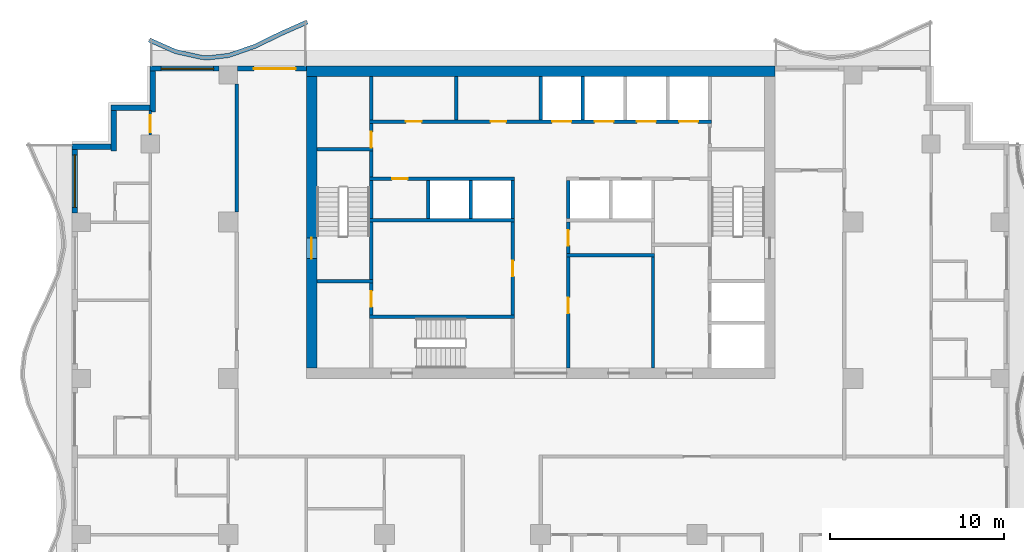
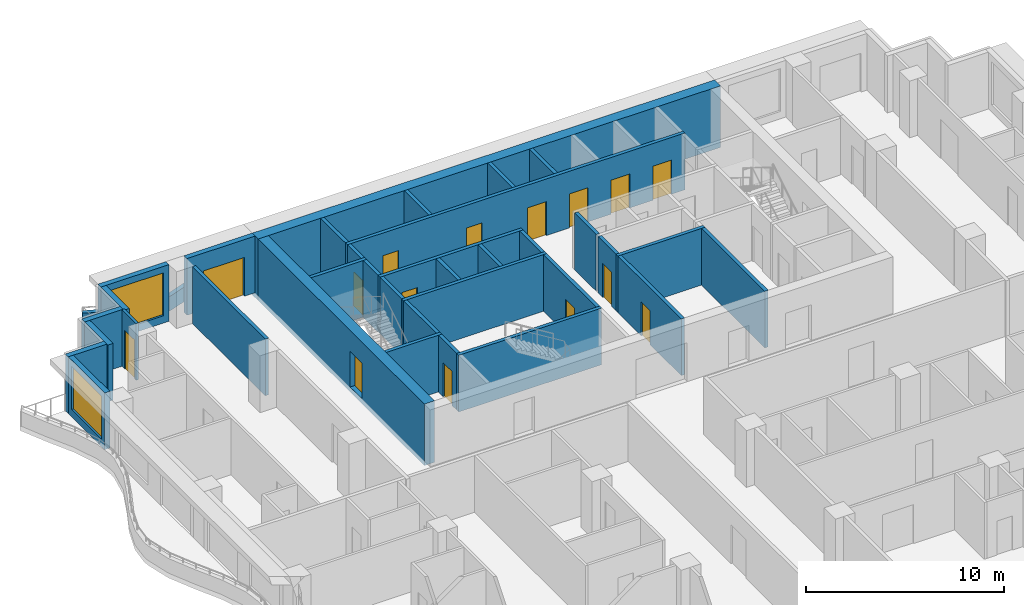
# One storey, part 5 of 11: 36 walls, 15 doors, 2 windows, 17 openings.
"""IFC4 building model written with IfcOpenShell, lengths in metres."""

from ifc_helpers import new_model, si_unit, direction, frame, frame_2d, origin, place, context, subcontext, project, spatial, polyline, rectangle, outline, extrude, material, layer, layer_set, type_object, element, fill, save


model = new_model("IFC4")

# Units and contexts
model_context = context("Model", 3, precision=1e-05, world=origin(), true_north=direction((0.0, 1.0)))
body_context = subcontext(model_context, "Body", "Model", "MODEL_VIEW")
ifc_project = project(units=[si_unit("LENGTHUNIT", "METRE"), si_unit("AREAUNIT", "SQUARE_METRE"), si_unit("VOLUMEUNIT", "CUBIC_METRE"), si_unit("PLANEANGLEUNIT", "RADIAN"), si_unit("MASSUNIT", "GRAM", prefix="KILO")], contexts=[model_context])

# Site, building, storey
site_placement = place(None, origin())
site = spatial("IfcSite", under=ifc_project, at=site_placement, CompositionType="ELEMENT")
building_placement = place(site_placement, origin())
building = spatial("IfcBuilding", under=site, at=building_placement, Name="Orbiselva Terraces", CompositionType="ELEMENT")
storey_placement = place(building_placement, frame((0.0, 0.0, 192.0)))
storey = spatial("IfcBuildingStorey", under=building, at=storey_placement, Name="L48", CompositionType="ELEMENT", Elevation=192.0)

# Wall, opening, door
ifc_material_1 = material(Name="Concrete C80/95", Category="concrete")
ifc_layer_1 = layer(ifc_material_1, 0.6)
ifc_layer_set_1 = layer_set([ifc_layer_1], Name="Concrete C80/95")
wall_type_1 = type_object("IfcWallType", Name="CORE WALL 600", PredefinedType="SHEAR", material=ifc_layer_set_1)
wall_1_placement = place(storey_placement, frame((-13.2, 21.9, -0.3), z_axis=(0.0, 0.0, 1.0), x_axis=(0.0, -1.0, 0.0)))
wall_1 = element("IfcWall", 1, at=wall_1_placement, inside=storey, type_object=wall_type_1, Name="Core wall L48 west", PredefinedType="SHEAR", context=body_context, shape_type="SweptSolid", body=[
    extrude(rectangle(XDim=16.8, YDim=0.6, at=frame_2d((8.4, 0.0))), origin(), (0.0, 0.0, 1.0), 3.8),
])
opening_1_placement = place(wall_1_placement, frame((9.3, 0.0, 0.3)))
opening_1 = element("IfcOpeningElement", 2, at=opening_1_placement, cuts=wall_1, Name="Opening DS1200", PredefinedType="OPENING", context=body_context, shape_type="SweptSolid", body=[
    extrude(rectangle(XDim=1.2, YDim=2.2, at=frame_2d((0.6, 1.1))), frame((0.0, 0.31, 0.0), z_axis=(0.0, -1.0, 0.0), x_axis=(1.0, 0.0, 0.0)), (0.0, 0.0, 1.0), 0.62),
])
ifc_material_2 = material(Name="Steel fire door", Category="steel")
door_type_1 = type_object("IfcDoorType", Name="STAIR DOOR 1200", OperationType="NOTDEFINED", PredefinedType="DOOR", material=ifc_material_2)
door_1_placement = place(opening_1_placement, frame((1.2, 0.0, 0.0), z_axis=(0.0, 0.0, 1.0), x_axis=(-1.0, 0.0, 0.0)))
door_1 = element("IfcDoor", 3, at=door_1_placement, inside=storey, type_object=door_type_1, Name="L48 EXIT STAIR S1 door", OperationType="SINGLE_SWING_RIGHT", OverallHeight=2.2, OverallWidth=1.2, PredefinedType="DOOR", context=body_context, shape_type="SweptSolid", body=[
    extrude(rectangle(XDim=1.2, YDim=2.2, at=frame_2d((0.6, 1.1))), frame((0.0, 0.025, 0.0), z_axis=(0.0, -1.0, 0.0), x_axis=(1.0, 0.0, 0.0)), (0.0, 0.0, 1.0), 0.05),
])
fill(opening_1, door_1)

# Wall
ifc_layer_2 = layer(ifc_material_1, 0.6)
ifc_layer_set_2 = layer_set([ifc_layer_2], Name="Concrete C80/95")
wall_type_2 = type_object("IfcWallType", Name="CORE WALL 600 EXTERNAL", PredefinedType="SHEAR", material=ifc_layer_set_2)
wall_2_placement = place(storey_placement, frame((13.5, 22.2, -0.3), z_axis=(0.0, 0.0, 1.0), x_axis=(-1.0, 0.0, 0.0)))
element("IfcWall", 4, at=wall_2_placement, inside=storey, type_object=wall_type_2, Name="Core wall L48 north", PredefinedType="SHEAR", context=body_context, shape_type="SweptSolid", body=[
    extrude(rectangle(XDim=27.0, YDim=0.6, at=frame_2d((13.5, 0.0))), origin(), (0.0, 0.0, 1.0), 3.8),
])

# Wall, opening, door
ifc_material_3 = material(Name="Masonry blockwork", Category="masonry")
ifc_layer_3 = layer(ifc_material_3, 0.2)
ifc_layer_set_3 = layer_set([ifc_layer_3], Name="Masonry blockwork")
wall_type_3 = type_object("IfcWallType", Name="CORE-WALL-PARTITION-200", PredefinedType="PARTITIONING", material=ifc_layer_set_3)
wall_3_placement = place(storey_placement, frame((-9.75, 8.15, 0.0), z_axis=(0.0, 0.0, 1.0), x_axis=(0.0, 1.0, 0.0)))
wall_3 = element("IfcWall", 5, at=wall_3_placement, inside=storey, type_object=wall_type_3, Name="L48 core wall 05", PredefinedType="PARTITIONING", context=body_context, shape_type="SweptSolid", body=[
    extrude(rectangle(XDim=1.85, YDim=0.2, at=frame_2d((0.925, 0.0))), origin(), (0.0, 0.0, 1.0), 3.5),
])
opening_2_placement = place(wall_3_placement, frame((0.475, 0.0, 0.0)))
opening_2 = element("IfcOpeningElement", 6, at=opening_2_placement, cuts=wall_3, Name="Opening DR900", PredefinedType="OPENING", context=body_context, shape_type="SweptSolid", body=[
    extrude(rectangle(XDim=0.9, YDim=2.1, at=frame_2d((0.45, 1.05))), frame((0.0, 0.11, 0.0), z_axis=(0.0, -1.0, 0.0), x_axis=(1.0, 0.0, 0.0)), (0.0, 0.0, 1.0), 0.22),
])
door_type_2 = type_object("IfcDoorType", Name="ROOM DOOR 900", OperationType="NOTDEFINED", PredefinedType="DOOR", material=ifc_material_2)
door_2_placement = place(opening_2_placement, origin())
door_2 = element("IfcDoor", 7, at=door_2_placement, inside=storey, type_object=door_type_2, Name="L48 ACCESSIBLE WC door", OperationType="SINGLE_SWING_RIGHT", OverallHeight=2.1, OverallWidth=0.9, PredefinedType="DOOR", context=body_context, shape_type="SweptSolid", body=[
    extrude(rectangle(XDim=0.9, YDim=2.1, at=frame_2d((0.45, 1.05))), frame((0.0, 0.025, 0.0), z_axis=(0.0, -1.0, 0.0), x_axis=(1.0, 0.0, 0.0)), (0.0, 0.0, 1.0), 0.05),
])
fill(opening_2, door_2)

wall_4_placement = place(storey_placement, frame((-9.75, 17.8, 0.0), z_axis=(0.0, 0.0, 1.0), x_axis=(0.0, 1.0, 0.0)))
wall_4 = element("IfcWall", 8, at=wall_4_placement, inside=storey, type_object=wall_type_3, Name="L48 core wall 11", PredefinedType="PARTITIONING", context=body_context, shape_type="SweptSolid", body=[
    extrude(rectangle(XDim=1.4, YDim=0.2, at=frame_2d((0.7, 0.0))), origin(), (0.0, 0.0, 1.0), 3.5),
])
opening_3_placement = place(wall_4_placement, origin())
opening_3 = element("IfcOpeningElement", 9, at=opening_3_placement, cuts=wall_4, Name="Opening DR900", PredefinedType="OPENING", context=body_context, shape_type="SweptSolid", body=[
    extrude(rectangle(XDim=0.9, YDim=2.1, at=frame_2d((0.45, 1.05))), frame((0.0, 0.11, 0.0), z_axis=(0.0, -1.0, 0.0), x_axis=(1.0, 0.0, 0.0)), (0.0, 0.0, 1.0), 0.22),
])
door_3_placement = place(opening_3_placement, origin())
door_3 = element("IfcDoor", 10, at=door_3_placement, inside=storey, type_object=door_type_2, Name="L48 COMMS RISER ROOM door", OperationType="SINGLE_SWING_LEFT", OverallHeight=2.1, OverallWidth=0.9, PredefinedType="DOOR", context=body_context, shape_type="SweptSolid", body=[
    extrude(rectangle(XDim=0.9, YDim=2.1, at=frame_2d((0.45, 1.05))), frame((0.0, 0.025, 0.0), z_axis=(0.0, -1.0, 0.0), x_axis=(1.0, 0.0, 0.0)), (0.0, 0.0, 1.0), 0.05),
])
fill(opening_3, door_3)

# Walls
for number, where, z_axis, x_axis, name in (
    (11, (-9.75, 19.4, 0.0), (0.0, 0.0, 1.0), (0.0, 1.0, 0.0), "L48 core wall 13"),
    (12, (-4.875, 19.4, 0.0), (0.0, 0.0, 1.0), (0.0, 1.0, 0.0), "L48 core wall 15"),
):
    element("IfcWall", number, at=place(storey_placement, frame(where, z_axis=z_axis, x_axis=x_axis)), inside=storey, type_object=wall_type_3, Name=name, PredefinedType="PARTITIONING", context=body_context, shape_type="SweptSolid", body=[
        extrude(rectangle(XDim=2.5, YDim=0.2, at=frame_2d((1.25, 0.0))), origin(), (0.0, 0.0, 1.0), 3.5),
    ])

# Wall, opening, door
wall_5_placement = place(storey_placement, frame((1.6, 13.5, 0.0), z_axis=(0.0, 0.0, 1.0), x_axis=(0.0, -1.0, 0.0)))
wall_5 = element("IfcWall", 13, at=wall_5_placement, inside=storey, type_object=wall_type_3, Name="L48 core wall 23", PredefinedType="PARTITIONING", context=body_context, shape_type="SweptSolid", body=[
    extrude(rectangle(XDim=1.8, YDim=0.2, at=frame_2d((0.9, 0.0))), origin(), (0.0, 0.0, 1.0), 3.5),
])
opening_4_placement = place(wall_5_placement, frame((0.45, 0.0, 0.0)))
opening_4 = element("IfcOpeningElement", 14, at=opening_4_placement, cuts=wall_5, Name="Opening DR900", PredefinedType="OPENING", context=body_context, shape_type="SweptSolid", body=[
    extrude(rectangle(XDim=0.9, YDim=2.1, at=frame_2d((0.45, 1.05))), frame((0.0, 0.11, 0.0), z_axis=(0.0, -1.0, 0.0), x_axis=(1.0, 0.0, 0.0)), (0.0, 0.0, 1.0), 0.22),
])
door_4_placement = place(opening_4_placement, origin())
door_4 = element("IfcDoor", 15, at=door_4_placement, inside=storey, type_object=door_type_2, Name="L48 IT ROOM door", OperationType="SINGLE_SWING_LEFT", OverallHeight=2.1, OverallWidth=0.9, PredefinedType="DOOR", context=body_context, shape_type="SweptSolid", body=[
    extrude(rectangle(XDim=0.9, YDim=2.1, at=frame_2d((0.45, 1.05))), frame((0.0, 0.025, 0.0), z_axis=(0.0, -1.0, 0.0), x_axis=(1.0, 0.0, 0.0)), (0.0, 0.0, 1.0), 0.05),
])
fill(opening_4, door_4)

# Walls
ifc_material_4 = material(Name="Concrete C40/50", Category="concrete")
ifc_layer_4 = layer(ifc_material_4, 0.2)
ifc_layer_set_4 = layer_set([ifc_layer_4], Name="Concrete C40/50")
wall_type_4 = type_object("IfcWallType", Name="CORE-WALL-SHAFT-200", PredefinedType="PARTITIONING", material=ifc_layer_set_4)
for number, where, z_axis, x_axis, name in (
    (16, (-6.475, 13.7, 0.0), (0.0, 0.0, 1.0), (0.0, 1.0, 0.0), "L48 core wall 14"),
    (17, (-4.0375, 13.7, 0.0), (0.0, 0.0, 1.0), (0.0, 1.0, 0.0), "L48 core wall 16"),
    (18, (-1.6, 13.7, 0.0), (0.0, 0.0, 1.0), (0.0, 1.0, 0.0), "L48 core wall 19"),
):
    element("IfcWall", number, at=place(storey_placement, frame(where, z_axis=z_axis, x_axis=x_axis)), inside=storey, type_object=wall_type_4, Name=name, PredefinedType="PARTITIONING", context=body_context, shape_type="SweptSolid", body=[
        extrude(rectangle(XDim=2.2, YDim=0.2, at=frame_2d((1.1, 0.0))), origin(), (0.0, 0.0, 1.0), 3.5),
    ])
wall_6_placement = place(storey_placement, frame((0.0, 19.4, 0.0), z_axis=(0.0, 0.0, 1.0), x_axis=(0.0, 1.0, 0.0)))
element("IfcWall", 19, at=wall_6_placement, inside=storey, type_object=wall_type_4, Name="L48 core wall 20", PredefinedType="PARTITIONING", context=body_context, shape_type="SweptSolid", body=[
    extrude(rectangle(XDim=2.5, YDim=0.2, at=frame_2d((1.25, 0.0))), origin(), (0.0, 0.0, 1.0), 3.5),
])
wall_7_placement = place(storey_placement, frame((1.6, 13.7, 0.0), z_axis=(0.0, 0.0, 1.0), x_axis=(0.0, 1.0, 0.0)))
element("IfcWall", 20, at=wall_7_placement, inside=storey, type_object=wall_type_4, Name="L48 core wall 25", PredefinedType="PARTITIONING", context=body_context, shape_type="SweptSolid", body=[
    extrude(rectangle(XDim=2.2, YDim=0.2, at=frame_2d((1.1, 0.0))), origin(), (0.0, 0.0, 1.0), 3.5),
])
wall_8_placement = place(storey_placement, frame((2.4375, 19.4, 0.0), z_axis=(0.0, 0.0, 1.0), x_axis=(0.0, 1.0, 0.0)))
element("IfcWall", 21, at=wall_8_placement, inside=storey, type_object=wall_type_4, Name="L48 core wall 27", PredefinedType="PARTITIONING", context=body_context, shape_type="SweptSolid", body=[
    extrude(rectangle(XDim=2.5, YDim=0.2, at=frame_2d((1.25, 0.0))), origin(), (0.0, 0.0, 1.0), 3.5),
])
ifc_material_5 = material(Name="Concrete C60/75", Category="concrete")
ifc_layer_5 = layer(ifc_material_5, 0.2)
ifc_layer_set_5 = layer_set([ifc_layer_5], Name="Concrete C60/75")
wall_type_5 = type_object("IfcWallType", Name="CORE-WALL-SHEAR-200", PredefinedType="SHEAR", material=ifc_layer_set_5)
for number, where, z_axis, x_axis, name in (
    (22, (-12.9, 10.1, 0.0), (0.0, 0.0, 1.0), (1.0, 0.0, 0.0), "L48 core wall 01"),
    (23, (-12.9, 17.7, 0.0), (0.0, 0.0, 1.0), (1.0, 0.0, 0.0), "L48 core wall 02"),
):
    element("IfcWall", number, at=place(storey_placement, frame(where, z_axis=z_axis, x_axis=x_axis)), inside=storey, type_object=wall_type_5, Name=name, PredefinedType="SHEAR", context=body_context, shape_type="SweptSolid", body=[
        extrude(rectangle(XDim=3.25, YDim=0.2, at=frame_2d((1.625, 0.0))), origin(), (0.0, 0.0, 1.0), 3.5),
    ])
wall_9_placement = place(storey_placement, frame((-9.85, 8.05, 0.0), z_axis=(0.0, 0.0, 1.0), x_axis=(1.0, 0.0, 0.0)))
element("IfcWall", 24, at=wall_9_placement, inside=storey, type_object=wall_type_5, Name="L48 core wall 04", PredefinedType="SHEAR", context=body_context, shape_type="SweptSolid", body=[
    extrude(rectangle(XDim=8.35, YDim=0.2, at=frame_2d((4.175, 0.0))), origin(), (0.0, 0.0, 1.0), 3.5),
])
wall_10_placement = place(storey_placement, frame((-9.75, 10.2, 0.0), z_axis=(0.0, 0.0, 1.0), x_axis=(0.0, 1.0, 0.0)))
element("IfcWall", 25, at=wall_10_placement, inside=storey, type_object=wall_type_5, Name="L48 core wall 06", PredefinedType="SHEAR", context=body_context, shape_type="SweptSolid", body=[
    extrude(rectangle(XDim=3.3, YDim=0.2, at=frame_2d((1.65, 0.0))), origin(), (0.0, 0.0, 1.0), 3.5),
])
wall_11_placement = place(storey_placement, frame((-9.85, 13.6, 0.0), z_axis=(0.0, 0.0, 1.0), x_axis=(1.0, 0.0, 0.0)))
element("IfcWall", 26, at=wall_11_placement, inside=storey, type_object=wall_type_5, Name="L48 core wall 07", PredefinedType="SHEAR", context=body_context, shape_type="SweptSolid", body=[
    extrude(rectangle(XDim=8.35, YDim=0.2, at=frame_2d((4.175, 0.0))), origin(), (0.0, 0.0, 1.0), 3.5),
])
wall_12_placement = place(storey_placement, frame((-9.75, 13.7, 0.0), z_axis=(0.0, 0.0, 1.0), x_axis=(0.0, 1.0, 0.0)))
element("IfcWall", 27, at=wall_12_placement, inside=storey, type_object=wall_type_5, Name="L48 core wall 08", PredefinedType="SHEAR", context=body_context, shape_type="SweptSolid", body=[
    extrude(rectangle(XDim=2.2, YDim=0.2, at=frame_2d((1.1, 0.0))), origin(), (0.0, 0.0, 1.0), 3.5),
])

# Wall, opening, door
wall_13_placement = place(storey_placement, frame((-1.5, 16.0, 0.0), z_axis=(0.0, 0.0, 1.0), x_axis=(-1.0, 0.0, 0.0)))
wall_13 = element("IfcWall", 28, at=wall_13_placement, inside=storey, type_object=wall_type_5, Name="L48 core wall 09", PredefinedType="SHEAR", context=body_context, shape_type="SweptSolid", body=[
    extrude(rectangle(XDim=8.35, YDim=0.2, at=frame_2d((4.175, 0.0))), origin(), (0.0, 0.0, 1.0), 3.5),
])
opening_5_placement = place(wall_13_placement, frame((6.1625, 0.0, 0.0)))
opening_5 = element("IfcOpeningElement", 29, at=opening_5_placement, cuts=wall_13, Name="Opening DR900", PredefinedType="OPENING", context=body_context, shape_type="SweptSolid", body=[
    extrude(rectangle(XDim=0.9, YDim=2.1, at=frame_2d((0.45, 1.05))), frame((0.0, 0.11, 0.0), z_axis=(0.0, -1.0, 0.0), x_axis=(1.0, 0.0, 0.0)), (0.0, 0.0, 1.0), 0.22),
])
door_5_placement = place(opening_5_placement, origin())
door_5 = element("IfcDoor", 30, at=door_5_placement, inside=storey, type_object=door_type_2, Name="L48 IT ROOM door", OperationType="SINGLE_SWING_RIGHT", OverallHeight=2.1, OverallWidth=0.9, PredefinedType="DOOR", context=body_context, shape_type="SweptSolid", body=[
    extrude(rectangle(XDim=0.9, YDim=2.1, at=frame_2d((0.45, 1.05))), frame((0.0, 0.025, 0.0), z_axis=(0.0, -1.0, 0.0), x_axis=(1.0, 0.0, 0.0)), (0.0, 0.0, 1.0), 0.05),
])
fill(opening_5, door_5)

# Wall
wall_14_placement = place(storey_placement, frame((-9.75, 16.1, 0.0), z_axis=(0.0, 0.0, 1.0), x_axis=(0.0, 1.0, 0.0)))
element("IfcWall", 31, at=wall_14_placement, inside=storey, type_object=wall_type_5, Name="L48 core wall 10", PredefinedType="SHEAR", context=body_context, shape_type="SweptSolid", body=[
    extrude(rectangle(XDim=1.5, YDim=0.2, at=frame_2d((0.75, 0.0))), origin(), (0.0, 0.0, 1.0), 3.5),
])

# Wall, openings, doors
wall_15_placement = place(storey_placement, frame((-9.85, 19.3, 0.0), z_axis=(0.0, 0.0, 1.0), x_axis=(1.0, 0.0, 0.0)))
wall_15 = element("IfcWall", 32, at=wall_15_placement, inside=storey, type_object=wall_type_5, Name="L48 core wall 12", PredefinedType="SHEAR", context=body_context, shape_type="SweptSolid", body=[
    extrude(rectangle(XDim=19.7, YDim=0.2, at=frame_2d((9.85, 0.0))), origin(), (0.0, 0.0, 1.0), 3.5),
])
opening_6_placement = place(wall_15_placement, frame((10.51875, 0.0, 0.0)))
opening_6 = element("IfcOpeningElement", 33, at=opening_6_placement, cuts=wall_15, Name="Opening LD-HR1", PredefinedType="OPENING", context=body_context, shape_type="SweptSolid", body=[
    extrude(rectangle(XDim=1.1, YDim=2.1, at=frame_2d((0.55, 1.05))), frame((0.0, 0.11, 0.0), z_axis=(0.0, -1.0, 0.0), x_axis=(1.0, 0.0, 0.0)), (0.0, 0.0, 1.0), 0.22),
])
opening_7_placement = place(wall_15_placement, frame((12.95625, 0.0, 0.0)))
opening_7 = element("IfcOpeningElement", 34, at=opening_7_placement, cuts=wall_15, Name="Opening LD-HR2", PredefinedType="OPENING", context=body_context, shape_type="SweptSolid", body=[
    extrude(rectangle(XDim=1.1, YDim=2.1, at=frame_2d((0.55, 1.05))), frame((0.0, 0.11, 0.0), z_axis=(0.0, -1.0, 0.0), x_axis=(1.0, 0.0, 0.0)), (0.0, 0.0, 1.0), 0.22),
])
opening_8_placement = place(wall_15_placement, frame((15.39375, 0.0, 0.0)))
opening_8 = element("IfcOpeningElement", 35, at=opening_8_placement, cuts=wall_15, Name="Opening LD-HR3", PredefinedType="OPENING", context=body_context, shape_type="SweptSolid", body=[
    extrude(rectangle(XDim=1.1, YDim=2.1, at=frame_2d((0.55, 1.05))), frame((0.0, 0.11, 0.0), z_axis=(0.0, -1.0, 0.0), x_axis=(1.0, 0.0, 0.0)), (0.0, 0.0, 1.0), 0.22),
])
opening_9_placement = place(wall_15_placement, frame((17.83125, 0.0, 0.0)))
opening_9 = element("IfcOpeningElement", 36, at=opening_9_placement, cuts=wall_15, Name="Opening LD-HR4", PredefinedType="OPENING", context=body_context, shape_type="SweptSolid", body=[
    extrude(rectangle(XDim=1.1, YDim=2.1, at=frame_2d((0.55, 1.05))), frame((0.0, 0.11, 0.0), z_axis=(0.0, -1.0, 0.0), x_axis=(1.0, 0.0, 0.0)), (0.0, 0.0, 1.0), 0.22),
])
opening_10_placement = place(wall_15_placement, frame((2.0875, 0.0, 0.0)))
opening_10 = element("IfcOpeningElement", 37, at=opening_10_placement, cuts=wall_15, Name="Opening DR900", PredefinedType="OPENING", context=body_context, shape_type="SweptSolid", body=[
    extrude(rectangle(XDim=0.9, YDim=2.1, at=frame_2d((0.45, 1.05))), frame((0.0, 0.11, 0.0), z_axis=(0.0, -1.0, 0.0), x_axis=(1.0, 0.0, 0.0)), (0.0, 0.0, 1.0), 0.22),
])
opening_11_placement = place(wall_15_placement, frame((6.9625, 0.0, 0.0)))
opening_11 = element("IfcOpeningElement", 38, at=opening_11_placement, cuts=wall_15, Name="Opening DR900", PredefinedType="OPENING", context=body_context, shape_type="SweptSolid", body=[
    extrude(rectangle(XDim=0.9, YDim=2.1, at=frame_2d((0.45, 1.05))), frame((0.0, 0.11, 0.0), z_axis=(0.0, -1.0, 0.0), x_axis=(1.0, 0.0, 0.0)), (0.0, 0.0, 1.0), 0.22),
])
ifc_material_6 = material(Name="Stainless steel landing door", Category="steel")
door_type_3 = type_object("IfcDoorType", Name="LANDING DOOR 1100", OperationType="SLIDING_TO_LEFT", PredefinedType="DOOR", material=ifc_material_6)
door_6_placement = place(opening_6_placement, origin())
door_6 = element("IfcDoor", 39, at=door_6_placement, inside=storey, type_object=door_type_3, Name="L48 landing door HR1", OperationType="SLIDING_TO_RIGHT", OverallHeight=2.1, OverallWidth=1.1, PredefinedType="DOOR", context=body_context, shape_type="SweptSolid", body=[
    extrude(rectangle(XDim=1.1, YDim=2.1, at=frame_2d((0.55, 1.05))), frame((0.0, 0.025, 0.0), z_axis=(0.0, -1.0, 0.0), x_axis=(1.0, 0.0, 0.0)), (0.0, 0.0, 1.0), 0.05),
])
fill(opening_6, door_6)
door_7_placement = place(opening_7_placement, origin())
door_7 = element("IfcDoor", 40, at=door_7_placement, inside=storey, type_object=door_type_3, Name="L48 landing door HR2", OperationType="SLIDING_TO_RIGHT", OverallHeight=2.1, OverallWidth=1.1, PredefinedType="DOOR", context=body_context, shape_type="SweptSolid", body=[
    extrude(rectangle(XDim=1.1, YDim=2.1, at=frame_2d((0.55, 1.05))), frame((0.0, 0.025, 0.0), z_axis=(0.0, -1.0, 0.0), x_axis=(1.0, 0.0, 0.0)), (0.0, 0.0, 1.0), 0.05),
])
fill(opening_7, door_7)
door_8_placement = place(opening_8_placement, origin())
door_8 = element("IfcDoor", 41, at=door_8_placement, inside=storey, type_object=door_type_3, Name="L48 landing door HR3", OperationType="SLIDING_TO_RIGHT", OverallHeight=2.1, OverallWidth=1.1, PredefinedType="DOOR", context=body_context, shape_type="SweptSolid", body=[
    extrude(rectangle(XDim=1.1, YDim=2.1, at=frame_2d((0.55, 1.05))), frame((0.0, 0.025, 0.0), z_axis=(0.0, -1.0, 0.0), x_axis=(1.0, 0.0, 0.0)), (0.0, 0.0, 1.0), 0.05),
])
fill(opening_8, door_8)
door_9_placement = place(opening_9_placement, origin())
door_9 = element("IfcDoor", 42, at=door_9_placement, inside=storey, type_object=door_type_3, Name="L48 landing door HR4", OperationType="SLIDING_TO_RIGHT", OverallHeight=2.1, OverallWidth=1.1, PredefinedType="DOOR", context=body_context, shape_type="SweptSolid", body=[
    extrude(rectangle(XDim=1.1, YDim=2.1, at=frame_2d((0.55, 1.05))), frame((0.0, 0.025, 0.0), z_axis=(0.0, -1.0, 0.0), x_axis=(1.0, 0.0, 0.0)), (0.0, 0.0, 1.0), 0.05),
])
fill(opening_9, door_9)
door_10_placement = place(opening_10_placement, origin())
door_10 = element("IfcDoor", 43, at=door_10_placement, inside=storey, type_object=door_type_2, Name="L48 PANTRY door", OperationType="SINGLE_SWING_LEFT", OverallHeight=2.1, OverallWidth=0.9, PredefinedType="DOOR", context=body_context, shape_type="SweptSolid", body=[
    extrude(rectangle(XDim=0.9, YDim=2.1, at=frame_2d((0.45, 1.05))), frame((0.0, 0.025, 0.0), z_axis=(0.0, -1.0, 0.0), x_axis=(1.0, 0.0, 0.0)), (0.0, 0.0, 1.0), 0.05),
])
fill(opening_10, door_10)
door_11_placement = place(opening_11_placement, origin())
door_11 = element("IfcDoor", 44, at=door_11_placement, inside=storey, type_object=door_type_2, Name="L48 STAFF LOUNGE door", OperationType="SINGLE_SWING_LEFT", OverallHeight=2.1, OverallWidth=0.9, PredefinedType="DOOR", context=body_context, shape_type="SweptSolid", body=[
    extrude(rectangle(XDim=0.9, YDim=2.1, at=frame_2d((0.45, 1.05))), frame((0.0, 0.025, 0.0), z_axis=(0.0, -1.0, 0.0), x_axis=(1.0, 0.0, 0.0)), (0.0, 0.0, 1.0), 0.05),
])
fill(opening_11, door_11)

# Wall, opening, door
wall_16_placement = place(storey_placement, frame((-1.6, 8.15, 0.0), z_axis=(0.0, 0.0, 1.0), x_axis=(0.0, 1.0, 0.0)))
wall_16 = element("IfcWall", 45, at=wall_16_placement, inside=storey, type_object=wall_type_5, Name="L48 core wall 18", PredefinedType="SHEAR", context=body_context, shape_type="SweptSolid", body=[
    extrude(rectangle(XDim=5.35, YDim=0.2, at=frame_2d((2.675, 0.0))), origin(), (0.0, 0.0, 1.0), 3.5),
])
opening_12_placement = place(wall_16_placement, frame((2.225, 0.0, 0.0)))
opening_12 = element("IfcOpeningElement", 46, at=opening_12_placement, cuts=wall_16, Name="Opening DR900", PredefinedType="OPENING", context=body_context, shape_type="SweptSolid", body=[
    extrude(rectangle(XDim=0.9, YDim=2.1, at=frame_2d((0.45, 1.05))), frame((0.0, 0.11, 0.0), z_axis=(0.0, -1.0, 0.0), x_axis=(1.0, 0.0, 0.0)), (0.0, 0.0, 1.0), 0.22),
])
door_12_placement = place(opening_12_placement, origin())
door_12 = element("IfcDoor", 47, at=door_12_placement, inside=storey, type_object=door_type_2, Name="L48 LINEN STORE door", OperationType="SINGLE_SWING_RIGHT", OverallHeight=2.1, OverallWidth=0.9, PredefinedType="DOOR", context=body_context, shape_type="SweptSolid", body=[
    extrude(rectangle(XDim=0.9, YDim=2.1, at=frame_2d((0.45, 1.05))), frame((0.0, 0.025, 0.0), z_axis=(0.0, -1.0, 0.0), x_axis=(1.0, 0.0, 0.0)), (0.0, 0.0, 1.0), 0.05),
])
fill(opening_12, door_12)

wall_17_placement = place(storey_placement, frame((1.6, 11.5, 0.0), z_axis=(0.0, 0.0, 1.0), x_axis=(0.0, -1.0, 0.0)))
wall_17 = element("IfcWall", 48, at=wall_17_placement, inside=storey, type_object=wall_type_5, Name="L48 core wall 21", PredefinedType="SHEAR", context=body_context, shape_type="SweptSolid", body=[
    extrude(rectangle(XDim=6.4, YDim=0.2, at=frame_2d((3.2, 0.0))), origin(), (0.0, 0.0, 1.0), 3.5),
])
opening_13_placement = place(wall_17_placement, frame((2.35, 0.0, 0.0)))
opening_13 = element("IfcOpeningElement", 49, at=opening_13_placement, cuts=wall_17, Name="Opening DR900", PredefinedType="OPENING", context=body_context, shape_type="SweptSolid", body=[
    extrude(rectangle(XDim=0.9, YDim=2.1, at=frame_2d((0.45, 1.05))), frame((0.0, 0.11, 0.0), z_axis=(0.0, -1.0, 0.0), x_axis=(1.0, 0.0, 0.0)), (0.0, 0.0, 1.0), 0.22),
])
door_13_placement = place(opening_13_placement, origin())
door_13 = element("IfcDoor", 50, at=door_13_placement, inside=storey, type_object=door_type_2, Name="L48 SERVICE ROOM door", OperationType="SINGLE_SWING_LEFT", OverallHeight=2.1, OverallWidth=0.9, PredefinedType="DOOR", context=body_context, shape_type="SweptSolid", body=[
    extrude(rectangle(XDim=0.9, YDim=2.1, at=frame_2d((0.45, 1.05))), frame((0.0, 0.025, 0.0), z_axis=(0.0, -1.0, 0.0), x_axis=(1.0, 0.0, 0.0)), (0.0, 0.0, 1.0), 0.05),
])
fill(opening_13, door_13)

# Walls
wall_18_placement = place(storey_placement, frame((1.5, 11.6, 0.0), z_axis=(0.0, 0.0, 1.0), x_axis=(1.0, 0.0, 0.0)))
element("IfcWall", 51, at=wall_18_placement, inside=storey, type_object=wall_type_5, Name="L48 core wall 22", PredefinedType="SHEAR", context=body_context, shape_type="SweptSolid", body=[
    extrude(rectangle(XDim=5.075, YDim=0.2, at=frame_2d((2.5375, 0.0))), origin(), (0.0, 0.0, 1.0), 3.5),
])
wall_19_placement = place(storey_placement, frame((6.475, 5.1, 0.0), z_axis=(0.0, 0.0, 1.0), x_axis=(0.0, 1.0, 0.0)))
element("IfcWall", 52, at=wall_19_placement, inside=storey, type_object=wall_type_5, Name="L48 core wall 30", PredefinedType="SHEAR", context=body_context, shape_type="SweptSolid", body=[
    extrude(rectangle(XDim=6.4, YDim=0.2, at=frame_2d((3.2, 0.0))), origin(), (0.0, 0.0, 1.0), 3.5),
])
ifc_layer_6 = layer(ifc_material_4, 0.25)
ifc_layer_set_6 = layer_set([ifc_layer_6], Name="Concrete C40/50")
wall_type_6 = type_object("IfcWallType", Name="ENV-PLANTER-250x900", PredefinedType="USERDEFINED", material=ifc_layer_set_6)
wall_20_placement = place(storey_placement, origin())
element("IfcWall", 53, at=wall_20_placement, inside=storey, type_object=wall_type_6, Name="Balcony planter L48 NW", ObjectType="PLANTER", PredefinedType="USERDEFINED", context=body_context, shape_type="SweptSolid", body=[
    extrude(outline(polyline([(-13.5, 25.148528), (-15.0, 24.487721), (-16.5, 23.755211), (-18.0, 23.230792), (-19.125, 23.1), (-19.5, 23.114774), (-21.0, 23.451472), (-22.5, 24.112279), (-22.600788, 23.883496), (-21.078508, 23.212874), (-19.532565, 22.865863), (-19.115428, 22.849429), (-17.943629, 22.985662), (-16.40356, 23.524089), (-14.894714, 24.260919), (-13.399212, 24.919745), (-13.5, 25.148528)])), origin(), (0.0, 0.0, 1.0), 0.9),
])

# Wall, opening, door
ifc_material_7 = material(Name="Terracotta cladding on masonry backing", Category="masonry")
ifc_layer_7 = layer(ifc_material_7, 0.3)
ifc_layer_set_7 = layer_set([ifc_layer_7], Name="Terracotta cladding on masonry backing")
wall_type_7 = type_object("IfcWallType", Name="ENV-WALL-TERRACOTTA-300", PredefinedType="SOLIDWALL", material=ifc_layer_set_7)
wall_21_placement = place(storey_placement, frame((-17.475, 22.35, 0.0), z_axis=(0.0, 0.0, 1.0), x_axis=(1.0, 0.0, 0.0)))
wall_21 = element("IfcWall", 54, at=wall_21_placement, inside=storey, type_object=wall_type_7, Name="Facade wall L48 NW", PredefinedType="SOLIDWALL", context=body_context, shape_type="SweptSolid", body=[
    extrude(rectangle(XDim=3.975, YDim=0.3, at=frame_2d((1.9875, 0.0))), origin(), (0.0, 0.0, 1.0), 3.5),
])
opening_14_placement = place(wall_21_placement, frame((0.95, 0.0, 0.0)))
opening_14 = element("IfcOpeningElement", 55, at=opening_14_placement, cuts=wall_21, Name="Opening Z4-A-E19", PredefinedType="OPENING", context=body_context, shape_type="SweptSolid", body=[
    extrude(rectangle(XDim=2.4, YDim=2.4, at=frame_2d((1.2, 1.2))), frame((0.0, 0.16, 0.0), z_axis=(0.0, -1.0, 0.0), x_axis=(1.0, 0.0, 0.0)), (0.0, 0.0, 1.0), 0.32),
])
ifc_material_8 = material(Name="Clear low-e glazing in aluminium frame", Category="aluminium")
door_type_4 = type_object("IfcDoorType", Name="BALCONY DOOR 2400 X 2400", OperationType="DOUBLE_DOOR_SLIDING", PredefinedType="DOOR", material=ifc_material_8)
door_14_placement = place(opening_14_placement, origin())
door_14 = element("IfcDoor", 56, at=door_14_placement, inside=storey, type_object=door_type_4, Name="Z4-A-E19", OperationType="SINGLE_SWING_LEFT", OverallHeight=2.4, OverallWidth=2.4, PredefinedType="DOOR", context=body_context, shape_type="SweptSolid", body=[
    extrude(rectangle(XDim=2.4, YDim=2.4, at=frame_2d((1.2, 1.2))), frame((0.0, 0.025, 0.0), z_axis=(0.0, -1.0, 0.0), x_axis=(1.0, 0.0, 0.0)), (0.0, 0.0, 1.0), 0.05),
])
fill(opening_14, door_14)

# Wall, opening, window
wall_22_placement = place(storey_placement, frame((-22.5, 22.35, 0.0), z_axis=(0.0, 0.0, 1.0), x_axis=(1.0, 0.0, 0.0)))
wall_22 = element("IfcWall", 57, at=wall_22_placement, inside=storey, type_object=wall_type_7, Name="Facade wall L48 NW", PredefinedType="SOLIDWALL", context=body_context, shape_type="SweptSolid", body=[
    extrude(rectangle(XDim=3.975, YDim=0.3, at=frame_2d((1.9875, 0.0))), origin(), (0.0, 0.0, 1.0), 3.5),
])
opening_15_placement = place(wall_22_placement, frame((0.625, 0.0, 0.45)))
opening_15 = element("IfcOpeningElement", 58, at=opening_15_placement, cuts=wall_22, Name="Opening WN14", PredefinedType="OPENING", context=body_context, shape_type="SweptSolid", body=[
    extrude(rectangle(XDim=3.025, YDim=2.65, at=frame_2d((1.5125, 1.325))), frame((0.0, 0.16, 0.0), z_axis=(0.0, -1.0, 0.0), x_axis=(1.0, 0.0, 0.0)), (0.0, 0.0, 1.0), 0.32),
])
window_type = type_object("IfcWindowType", Name="WINDOW 3025 X 2650 S450", PartitioningType="TRIPLE_PANEL_VERTICAL", PredefinedType="WINDOW", material=ifc_material_8)
window_1_placement = place(opening_15_placement, origin())
window_1 = element("IfcWindow", 59, at=window_1_placement, inside=storey, type_object=window_type, Name="Window L48 NW", OverallHeight=2.65, OverallWidth=3.025, PartitioningType="SINGLE_PANEL", PredefinedType="WINDOW", context=body_context, shape_type="SweptSolid", body=[
    extrude(rectangle(XDim=3.025, YDim=2.65, at=frame_2d((1.5125, 1.325))), frame((0.0, 0.03, 0.0), z_axis=(0.0, -1.0, 0.0), x_axis=(1.0, 0.0, 0.0)), (0.0, 0.0, 1.0), 0.06),
])
fill(opening_15, window_1)

# Walls
wall_23_placement = place(storey_placement, frame((-22.35, 19.85, 0.0), z_axis=(0.0, 0.0, 1.0), x_axis=(0.0, 1.0, 0.0)))
element("IfcWall", 60, at=wall_23_placement, inside=storey, type_object=wall_type_7, Name="Facade wall L48 STEP", PredefinedType="SOLIDWALL", context=body_context, shape_type="SweptSolid", body=[
    extrude(rectangle(XDim=2.35, YDim=0.3, at=frame_2d((1.175, 0.0))), origin(), (0.0, 0.0, 1.0), 3.5),
])
wall_24_placement = place(storey_placement, frame((-24.75, 20.1, 0.0), z_axis=(0.0, 0.0, 1.0), x_axis=(1.0, 0.0, 0.0)))
element("IfcWall", 61, at=wall_24_placement, inside=storey, type_object=wall_type_7, Name="Facade wall L48 STEP", PredefinedType="SOLIDWALL", context=body_context, shape_type="SweptSolid", body=[
    extrude(rectangle(XDim=2.25, YDim=0.3, at=frame_2d((1.125, 0.0))), origin(), (0.0, 0.0, 1.0), 3.5),
])
wall_25_placement = place(storey_placement, frame((-24.6, 17.6, 0.0), z_axis=(0.0, 0.0, 1.0), x_axis=(0.0, 1.0, 0.0)))
element("IfcWall", 62, at=wall_25_placement, inside=storey, type_object=wall_type_7, Name="Facade wall L48 STEP", PredefinedType="SOLIDWALL", context=body_context, shape_type="SweptSolid", body=[
    extrude(rectangle(XDim=2.35, YDim=0.3, at=frame_2d((1.175, 0.0))), origin(), (0.0, 0.0, 1.0), 3.5),
])
wall_26_placement = place(storey_placement, frame((-27.0, 17.85, 0.0), z_axis=(0.0, 0.0, 1.0), x_axis=(1.0, 0.0, 0.0)))
element("IfcWall", 63, at=wall_26_placement, inside=storey, type_object=wall_type_7, Name="Facade wall L48 STEP", PredefinedType="SOLIDWALL", context=body_context, shape_type="SweptSolid", body=[
    extrude(rectangle(XDim=2.25, YDim=0.3, at=frame_2d((1.125, 0.0))), origin(), (0.0, 0.0, 1.0), 3.5),
])

# Wall, opening, window
wall_27_placement = place(storey_placement, frame((-26.85, 14.025, 0.0), z_axis=(0.0, 0.0, 1.0), x_axis=(0.0, 1.0, 0.0)))
wall_27 = element("IfcWall", 64, at=wall_27_placement, inside=storey, type_object=wall_type_7, Name="Facade wall L48 W", PredefinedType="SOLIDWALL", context=body_context, shape_type="SweptSolid", body=[
    extrude(rectangle(XDim=3.675, YDim=0.3, at=frame_2d((1.8375, 0.0))), origin(), (0.0, 0.0, 1.0), 3.5),
])
opening_16_placement = place(wall_27_placement, frame((0.325, 0.0, 0.45)))
opening_16 = element("IfcOpeningElement", 65, at=opening_16_placement, cuts=wall_27, Name="Opening WN14", PredefinedType="OPENING", context=body_context, shape_type="SweptSolid", body=[
    extrude(rectangle(XDim=3.025, YDim=2.65, at=frame_2d((1.5125, 1.325))), frame((0.0, 0.16, 0.0), z_axis=(0.0, -1.0, 0.0), x_axis=(1.0, 0.0, 0.0)), (0.0, 0.0, 1.0), 0.32),
])
window_2_placement = place(opening_16_placement, origin())
window_2 = element("IfcWindow", 66, at=window_2_placement, inside=storey, type_object=window_type, Name="Window L48 W", OverallHeight=2.65, OverallWidth=3.025, PartitioningType="SINGLE_PANEL", PredefinedType="WINDOW", context=body_context, shape_type="SweptSolid", body=[
    extrude(rectangle(XDim=3.025, YDim=2.65, at=frame_2d((1.5125, 1.325))), frame((0.0, 0.03, 0.0), z_axis=(0.0, -1.0, 0.0), x_axis=(1.0, 0.0, 0.0)), (0.0, 0.0, 1.0), 0.06),
])
fill(opening_16, window_2)

# Wall
ifc_material_9 = material(Name="Plasterboard on steel stud partition", Category="steel")
ifc_layer_8 = layer(ifc_material_9, 0.2)
ifc_layer_set_8 = layer_set([ifc_layer_8], Name="Plasterboard on steel stud partition")
wall_type_8 = type_object("IfcWallType", Name="UNIT-ENTRANCE-WALL-200", PredefinedType="PARTITIONING", material=ifc_layer_set_8)
wall_28_placement = place(storey_placement, frame((-17.5, 14.075, 0.0), z_axis=(0.0, 0.0, 1.0), x_axis=(0.0, 1.0, 0.0)))
element("IfcWall", 67, at=wall_28_placement, inside=storey, type_object=wall_type_8, Name="PARTITION L48-052", PredefinedType="PARTITIONING", context=body_context, shape_type="SweptSolid", body=[
    extrude(rectangle(XDim=7.375, YDim=0.2, at=frame_2d((3.6875, 0.0))), origin(), (0.0, 0.0, 1.0), 3.5),
])

# Wall, opening, door
ifc_layer_9 = layer(ifc_material_9, 0.15)
ifc_layer_set_9 = layer_set([ifc_layer_9], Name="Plasterboard on steel stud partition")
wall_type_9 = type_object("IfcWallType", Name="UNIT-PARTITION-150", PredefinedType="PARTITIONING", material=ifc_layer_set_9)
wall_29_placement = place(storey_placement, frame((-22.5, 18.525, 0.0), z_axis=(0.0, 0.0, 1.0), x_axis=(0.0, 1.0, 0.0)))
wall_29 = element("IfcWall", 68, at=wall_29_placement, inside=storey, type_object=wall_type_9, Name="PARTITION L48-043", PredefinedType="PARTITIONING", context=body_context, shape_type="SweptSolid", body=[
    extrude(rectangle(XDim=1.425, YDim=0.15, at=frame_2d((0.7125, 0.0))), origin(), (0.0, 0.0, 1.0), 3.5),
])
opening_17_placement = place(wall_29_placement, frame((0.15, 0.0, 0.0)))
opening_17 = element("IfcOpeningElement", 69, at=opening_17_placement, cuts=wall_29, Name="Opening Z4-A-06", PredefinedType="OPENING", context=body_context, shape_type="SweptSolid", body=[
    extrude(rectangle(XDim=1.0, YDim=2.4, at=frame_2d((0.5, 1.2))), frame((0.0, 0.085, 0.0), z_axis=(0.0, -1.0, 0.0), x_axis=(1.0, 0.0, 0.0)), (0.0, 0.0, 1.0), 0.17),
])
ifc_material_10 = material(Name="Painted timber door leaf", Category="wood")
door_type_5 = type_object("IfcDoorType", Name="ROOM DOOR 1000", OperationType="NOTDEFINED", PredefinedType="DOOR", material=ifc_material_10)
door_15_placement = place(opening_17_placement, origin())
door_15 = element("IfcDoor", 70, at=door_15_placement, inside=storey, type_object=door_type_5, Name="Z4-A-06", OperationType="SINGLE_SWING_LEFT", OverallHeight=2.4, OverallWidth=1.0, PredefinedType="DOOR", context=body_context, shape_type="SweptSolid", body=[
    extrude(rectangle(XDim=1.0, YDim=2.4, at=frame_2d((0.5, 1.2))), frame((0.0, 0.025, 0.0), z_axis=(0.0, -1.0, 0.0), x_axis=(1.0, 0.0, 0.0)), (0.0, 0.0, 1.0), 0.05),
])
fill(opening_17, door_15)

save(model, "model.ifc")
